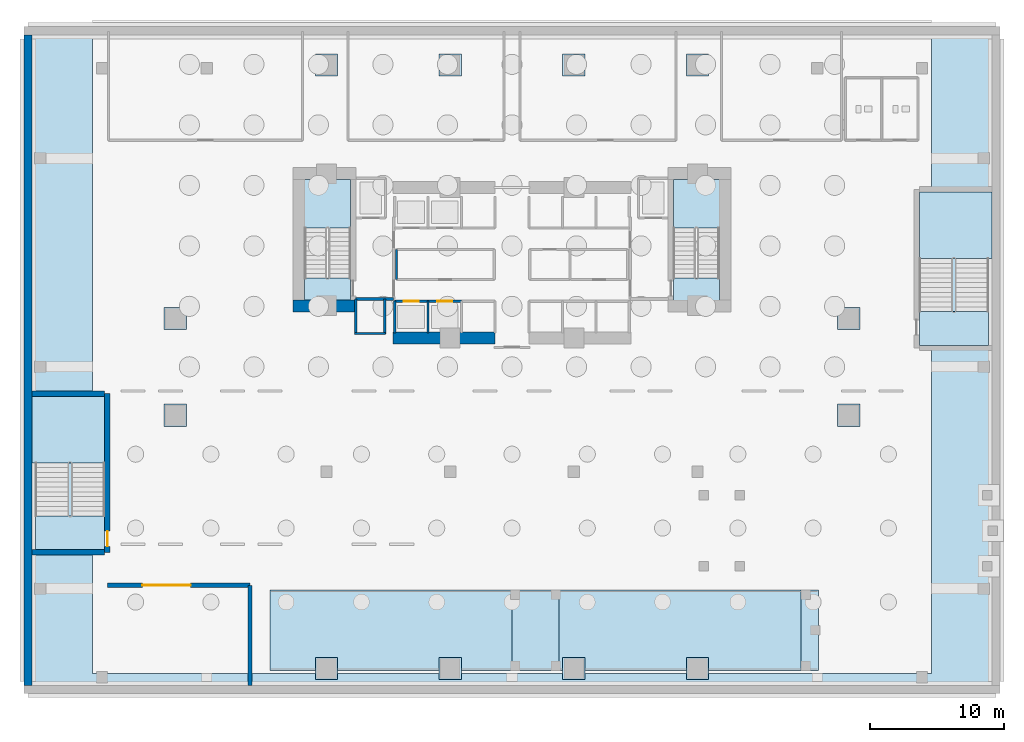
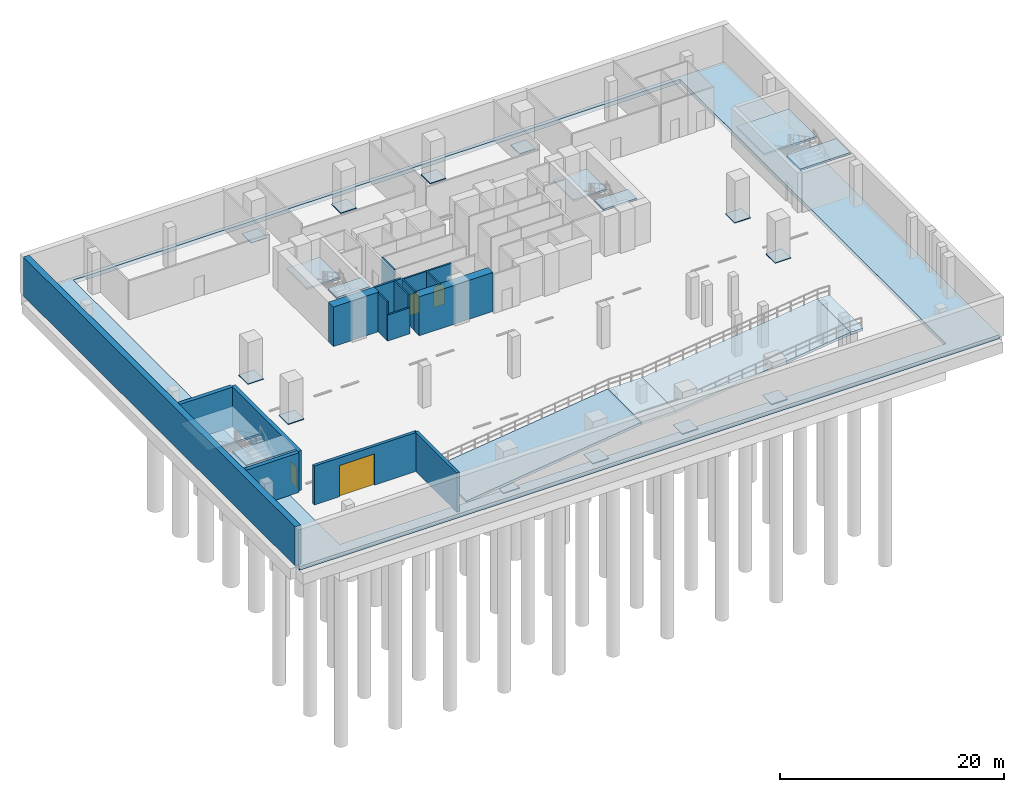
# One storey, part 2 of 13: 17 walls, 13 slabs, 12 plates, 4 doors, 4 openings, 4 elements without a shape of their own.
"""IFC4 building model written with IfcOpenShell, lengths in metres."""

from ifc_helpers import new_model, si_unit, direction, frame, frame_2d, origin, origin_2d, place, context, subcontext, project, spatial, polyline, rectangle, outline, extrude, material, layer, layer_set, type_object, element, fill, aggregate, save


model = new_model("IFC4")

# Units and contexts
model_context = context("Model", 3, precision=1e-05, world=origin(), true_north=direction((0.0, 1.0)))
body_context = subcontext(model_context, "Body", "Model", "MODEL_VIEW")
ifc_project = project(units=[si_unit("LENGTHUNIT", "METRE"), si_unit("AREAUNIT", "SQUARE_METRE"), si_unit("VOLUMEUNIT", "CUBIC_METRE"), si_unit("PLANEANGLEUNIT", "RADIAN"), si_unit("MASSUNIT", "GRAM", prefix="KILO")], contexts=[model_context])

# Site, building, storey
site_placement = place(None, origin())
site = spatial("IfcSite", under=ifc_project, at=site_placement, CompositionType="ELEMENT")
building_placement = place(site_placement, origin())
building = spatial("IfcBuilding", under=site, at=building_placement, Name="Zuhayl Quay Hotel", CompositionType="ELEMENT")
storey_placement = place(building_placement, frame((0.0, 0.0, -9.0)))
storey = spatial("IfcBuildingStorey", under=building, at=storey_placement, Name="B2", CompositionType="ELEMENT", Elevation=-9.0)

# Slabs
ifc_material_1 = material(Name="Concrete C45/55", Category="concrete")
ifc_layer_1 = layer(ifc_material_1, 0.419921875, Name="Concrete C45/55", Category="concrete")
ifc_layer_set_1 = layer_set([ifc_layer_1], Name="Concrete C45/55")
slab_type_1 = type_object("IfcSlabType", Name="SL_BASE_420", PredefinedType="BASESLAB", material=ifc_layer_set_1)
slab_1_placement = place(storey_placement, frame((0.0, 0.0, -0.419921875)))
element("IfcSlab", 1, at=slab_1_placement, inside=storey, type_object=slab_type_1, Name="B2 Perimeter Structural Base Slab", PredefinedType="BASESLAB", context=body_context, shape_type="SweptSolid", body=[
    extrude(outline(polyline([(-36.0, -24.0), (36.0, -24.0), (36.0, 25.0), (-36.0, 25.0), (-36.0, -24.0)]), holes=[polyline([(-31.199951171875, -22.800048828125), (31.199951171875, -22.800048828125), (31.199951171875, 24.60009765625), (-31.199951171875, 24.60009765625), (-31.199951171875, -22.800048828125)])]), origin(), (0.0, 0.0, 1.0), 0.419921875),
])
ifc_layer_2 = layer(ifc_material_1, 0.280029296875, Name="Concrete C45/55", Category="concrete")
ifc_layer_set_2 = layer_set([ifc_layer_2], Name="Concrete C45/55")
slab_type_2 = type_object("IfcSlabType", Name="SL_RAMP_LANDING_280", PredefinedType="LANDING", material=ifc_layer_set_2)
slab_2_placement = place(storey_placement, frame((0.0, 0.0, 1.969970703125)))
element("IfcSlab", 2, at=slab_2_placement, inside=storey, type_object=slab_type_2, Name="Car Park Vehicle Ramp VR1-B2 Mid Landing", PredefinedType="LANDING", context=body_context, shape_type="SweptSolid", body=[
    extrude(outline(polyline([(0.0, -22.60009765625), (3.5, -22.60009765625), (3.5, -16.60009765625), (0.0, -16.60009765625), (0.0, -22.60009765625)])), origin(), (0.0, 0.0, 1.0), 0.280029296875),
])
slab_3_placement = place(storey_placement, frame((0.0, 0.0, 4.219970703125)))
element("IfcSlab", 3, at=slab_3_placement, inside=storey, type_object=slab_type_2, Name="Car Park Vehicle Ramp VR1-B2 Arrival Landing", PredefinedType="LANDING", context=body_context, shape_type="SweptSolid", body=[
    extrude(outline(polyline([(21.5, -22.60009765625), (22.800048828125, -22.60009765625), (22.800048828125, -16.60009765625), (21.5, -16.60009765625), (21.5, -22.60009765625)])), origin(), (0.0, 0.0, 1.0), 0.280029296875),
])

# Stair, slabs
stair_type_1 = type_object("IfcStairType", Name="ST_DOGLEG_TOWER", PredefinedType="HALF_TURN_STAIR", material=ifc_material_1)
stair_1_placement = place(storey_placement, origin())
stair_1 = element("IfcStair", 4, at=stair_1_placement, inside=storey, type_object=stair_type_1, Name="B2 Smokeproof Exit Stair ST1", PredefinedType="HALF_TURN_STAIR")
ifc_layer_3 = layer(ifc_material_1, 0.199951171875, Name="Concrete C45/55", Category="concrete")
ifc_layer_set_3 = layer_set([ifc_layer_3], Name="Concrete C45/55")
slab_type_3 = type_object("IfcSlabType", Name="SL_STAIR_LANDING_200", PredefinedType="LANDING", material=ifc_layer_set_3)
slab_4_placement = place(storey_placement, frame((0.0, 0.0, 2.050048828125)))
slab_4 = element("IfcSlab", 5, at=slab_4_placement, type_object=slab_type_3, Name="ST1 landing 1", PredefinedType="LANDING", context=body_context, shape_type="SweptSolid", body=[
    extrude(outline(polyline([(-12.0, 10.330078125), (-12.0, 13.949951171875), (-15.429931640625, 13.949951171875), (-15.429931640625, 10.330078125), (-12.0, 10.330078125)])), origin(), (0.0, 0.0, 1.0), 0.199951171875),
])
slab_5_placement = place(storey_placement, frame((0.0, 0.0, 4.300048828125)))
slab_5 = element("IfcSlab", 6, at=slab_5_placement, type_object=slab_type_3, Name="ST1 landing 2", PredefinedType="LANDING", context=body_context, shape_type="SweptSolid", body=[
    extrude(outline(polyline([(-12.0, 4.949951171875), (-12.0, 6.590087890625), (-15.429931640625, 6.590087890625), (-15.429931640625, 4.949951171875), (-12.0, 4.949951171875)])), origin(), (0.0, 0.0, 1.0), 0.199951171875),
])
aggregate(stair_1, [slab_4, slab_5])

stair_2_placement = place(storey_placement, origin())
stair_2 = element("IfcStair", 7, at=stair_2_placement, inside=storey, type_object=stair_type_1, Name="B2 Smokeproof Exit Stair ST2", PredefinedType="HALF_TURN_STAIR")
slab_6_placement = place(storey_placement, frame((0.0, 0.0, 2.050048828125)))
slab_6 = element("IfcSlab", 8, at=slab_6_placement, type_object=slab_type_3, Name="ST2 landing 1", PredefinedType="LANDING", context=body_context, shape_type="SweptSolid", body=[
    extrude(outline(polyline([(15.429931640625, 10.330078125), (15.429931640625, 13.949951171875), (12.0, 13.949951171875), (12.0, 10.330078125), (15.429931640625, 10.330078125)])), origin(), (0.0, 0.0, 1.0), 0.199951171875),
])
slab_7_placement = place(storey_placement, frame((0.0, 0.0, 4.300048828125)))
slab_7 = element("IfcSlab", 9, at=slab_7_placement, type_object=slab_type_3, Name="ST2 landing 2", PredefinedType="LANDING", context=body_context, shape_type="SweptSolid", body=[
    extrude(outline(polyline([(15.429931640625, 4.949951171875), (15.429931640625, 6.590087890625), (12.0, 6.590087890625), (12.0, 4.949951171875), (15.429931640625, 4.949951171875)])), origin(), (0.0, 0.0, 1.0), 0.199951171875),
])
aggregate(stair_2, [slab_6, slab_7])

stair_type_2 = type_object("IfcStairType", Name="ST_DOGLEG_PODIUM", PredefinedType="HALF_TURN_STAIR", material=ifc_material_1)
stair_3_placement = place(storey_placement, origin())
stair_3 = element("IfcStair", 10, at=stair_3_placement, inside=storey, type_object=stair_type_2, Name="B2 Smokeproof Exit Stair ST3", PredefinedType="HALF_TURN_STAIR")
slab_8_placement = place(storey_placement, frame((0.0, 0.0, 2.050048828125)))
slab_8 = element("IfcSlab", 11, at=slab_8_placement, type_object=slab_type_3, Name="ST3 landing 1", PredefinedType="LANDING", context=body_context, shape_type="SweptSolid", body=[
    extrude(outline(polyline([(-30.300048828125, -7.139892578125), (-30.300048828125, -2.199951171875), (-35.68994140625, -2.199951171875), (-35.68994140625, -7.139892578125), (-30.300048828125, -7.139892578125)])), origin(), (0.0, 0.0, 1.0), 0.199951171875),
])
slab_9_placement = place(storey_placement, frame((0.0, 0.0, 4.300048828125)))
slab_9 = element("IfcSlab", 12, at=slab_9_placement, type_object=slab_type_3, Name="ST3 landing 2", PredefinedType="LANDING", context=body_context, shape_type="SweptSolid", body=[
    extrude(outline(polyline([(-30.300048828125, -13.60009765625), (-30.300048828125, -11.10009765625), (-35.449951171875, -11.10009765625), (-35.449951171875, -13.60009765625), (-30.300048828125, -13.60009765625)])), origin(), (0.0, 0.0, 1.0), 0.199951171875),
])
aggregate(stair_3, [slab_8, slab_9])

stair_4_placement = place(storey_placement, origin())
stair_4 = element("IfcStair", 13, at=stair_4_placement, inside=storey, type_object=stair_type_2, Name="B2 Smokeproof Exit Stair ST4", PredefinedType="HALF_TURN_STAIR")
slab_10_placement = place(storey_placement, frame((0.0, 0.0, 2.050048828125)))
slab_10 = element("IfcSlab", 14, at=slab_10_placement, type_object=slab_type_3, Name="ST4 landing 1", PredefinedType="LANDING", context=body_context, shape_type="SweptSolid", body=[
    extrude(outline(polyline([(35.68994140625, 8.06005859375), (35.68994140625, 13.0), (30.300048828125, 13.0), (30.300048828125, 8.06005859375), (35.68994140625, 8.06005859375)])), origin(), (0.0, 0.0, 1.0), 0.199951171875),
])
slab_11_placement = place(storey_placement, frame((0.0, 0.0, 4.300048828125)))
slab_11 = element("IfcSlab", 15, at=slab_11_placement, type_object=slab_type_3, Name="ST4 landing 2", PredefinedType="LANDING", context=body_context, shape_type="SweptSolid", body=[
    extrude(outline(polyline([(35.449951171875, 1.60009765625), (35.449951171875, 4.10009765625), (30.300048828125, 4.10009765625), (30.300048828125, 1.60009765625), (35.449951171875, 1.60009765625)])), origin(), (0.0, 0.0, 1.0), 0.199951171875),
])
aggregate(stair_4, [slab_10, slab_11])

# Slabs
ifc_layer_4 = layer(ifc_material_1, 0.280029296875, Name="Concrete C45/55", Category="concrete")
ifc_layer_set_4 = layer_set([ifc_layer_4], Name="Concrete C45/55")
slab_type_4 = type_object("IfcSlabType", Name="SL_VEH_RAMP_280", PredefinedType="FLOOR", material=ifc_layer_set_4)
for number, where, z_axis, x_axis, name in (
    (16, (-18.0, -19.60009765625, 0.0), (0.0, 0.0, 1.0), (1.0, 0.0, 0.0), "Car Park Vehicle Ramp Slab VR1-B2 Lower"),
    (17, (3.5, -19.60009765625, 2.25), (0.0, 0.0, 1.0), (1.0, 0.0, 0.0), "Car Park Vehicle Ramp Slab VR1-B2 Upper"),
):
    element("IfcSlab", number, at=place(storey_placement, frame(where, z_axis=z_axis, x_axis=x_axis)), inside=storey, type_object=slab_type_4, Name=name, PredefinedType="FLOOR", context=body_context, shape_type="SweptSolid", body=[
        extrude(outline(polyline([(0.0, -0.280029296875), (18.0, 1.969970703125), (18.0, 2.25), (0.0, 0.0), (0.0, -0.280029296875)])), frame((0.0, 3.0, 0.0), z_axis=(0.0, -1.0, 0.0), x_axis=(1.0, 0.0, 0.0)), (0.0, 0.0, 1.0), 6.0),
    ])

# Plates
ifc_material_2 = material(Name="Steel ASTM A572 Grade 50", Category="steel")
ifc_layer_5 = layer(ifc_material_2, 0.06494140625, Name="Steel ASTM A572 Grade 50", Category="steel")
ifc_layer_set_5 = layer_set([ifc_layer_5], Name="Steel ASTM A572 Grade 50")
plate_type = type_object("IfcPlateType", Name="TP_BASE_PLATE_65", PredefinedType="USERDEFINED", material=ifc_layer_set_5)
for number, where, z_axis, x_axis, name in (
    (18, (-13.800048828125, -22.449951171875, 0.0), (0.0, 0.0, 1.0), (1.0, 0.0, 0.0), "Mega-Column Base Plate MC_S1"),
    (19, (-4.60009765625, -22.449951171875, 0.0), (0.0, 0.0, 1.0), (1.0, 0.0, 0.0), "Mega-Column Base Plate MC_S2"),
    (20, (4.60009765625, -22.449951171875, 0.0), (0.0, 0.0, 1.0), (1.0, 0.0, 0.0), "Mega-Column Base Plate MC_S3"),
    (21, (13.800048828125, -22.449951171875, 0.0), (0.0, 0.0, 1.0), (1.0, 0.0, 0.0), "Mega-Column Base Plate MC_S4"),
    (22, (-13.800048828125, 22.449951171875, 0.0), (0.0, 0.0, 1.0), (1.0, 0.0, 0.0), "Mega-Column Base Plate MC_N1"),
    (23, (-4.60009765625, 22.449951171875, 0.0), (0.0, 0.0, 1.0), (1.0, 0.0, 0.0), "Mega-Column Base Plate MC_N2"),
    (24, (4.60009765625, 22.449951171875, 0.0), (0.0, 0.0, 1.0), (1.0, 0.0, 0.0), "Mega-Column Base Plate MC_N3"),
    (25, (13.800048828125, 22.449951171875, 0.0), (0.0, 0.0, 1.0), (1.0, 0.0, 0.0), "Mega-Column Base Plate MC_N4"),
    (26, (-25.050048828125, -3.60009765625, 0.0), (0.0, 0.0, 1.0), (1.0, 0.0, 0.0), "Mega-Column Base Plate MC_W1"),
    (27, (-25.050048828125, 3.60009765625, 0.0), (0.0, 0.0, 1.0), (1.0, 0.0, 0.0), "Mega-Column Base Plate MC_W2"),
    (28, (25.050048828125, -3.60009765625, 0.0), (0.0, 0.0, 1.0), (1.0, 0.0, 0.0), "Mega-Column Base Plate MC_E1"),
    (29, (25.050048828125, 3.60009765625, 0.0), (0.0, 0.0, 1.0), (1.0, 0.0, 0.0), "Mega-Column Base Plate MC_E2"),
):
    element("IfcPlate", number, at=place(storey_placement, frame(where, z_axis=z_axis, x_axis=x_axis)), inside=storey, type_object=plate_type, Name=name, ObjectType="BASE PLATE", PredefinedType="USERDEFINED", context=body_context, shape_type="SweptSolid", body=[
        extrude(rectangle(XDim=1.64990234375, YDim=1.64990234375, at=origin_2d()), origin(), (0.0, 0.0, 1.0), 0.06494140625),
    ])

# Walls
ifc_material_3 = material(Name="Concrete C70/85", Category="concrete")
ifc_layer_6 = layer(ifc_material_3, 0.89990234375, Name="Concrete C70/85", Category="concrete")
ifc_layer_set_6 = layer_set([ifc_layer_6], Name="Concrete C70/85")
wall_type_1 = type_object("IfcWallType", Name="WL_CORE_900", PredefinedType="SHEAR", material=ifc_layer_set_6)
wall_1_placement = place(storey_placement, frame((-16.31005859375, 4.52001953125, 0.0), z_axis=(0.0, 0.0, 1.0), x_axis=(1.0, 0.0, 0.0)))
element("IfcWall", 30, at=wall_1_placement, inside=storey, type_object=wall_type_1, Name="B2 Core Shear Wall CW_SW", PredefinedType="SHEAR", context=body_context, shape_type="SweptSolid", body=[
    extrude(rectangle(XDim=4.7099609375, YDim=0.89990234375, at=frame_2d((2.35498046875, 0.0))), origin(), (0.0, 0.0, 1.0), 4.31005859375),
])
wall_2_placement = place(storey_placement, frame((-8.85009765625, 2.14990234375, 0.0), z_axis=(0.0, 0.0, 1.0), x_axis=(1.0, 0.0, 0.0)))
element("IfcWall", 31, at=wall_2_placement, inside=storey, type_object=wall_type_1, Name="B2 Core Shear Wall CW_SC_W", PredefinedType="SHEAR", context=body_context, shape_type="SweptSolid", body=[
    extrude(rectangle(XDim=7.60009765625, YDim=0.89990234375, at=frame_2d((3.800048828125, 0.0))), origin(), (0.0, 0.0, 1.0), 4.239990234375),
])

# Wall, opening, door
ifc_material_4 = material(Name="Precast concrete C45/55", Category="concrete")
ifc_layer_7 = layer(ifc_material_4, 0.300048828125, Name="Precast concrete C45/55", Category="concrete")
ifc_layer_set_7 = layer_set([ifc_layer_7], Name="Precast concrete C45/55")
wall_type_2 = type_object("IfcWallType", Name="WL_EXT_300", PredefinedType="STANDARD", material=ifc_layer_set_7)
wall_3_placement = place(storey_placement, frame((-30.10009765625, -16.25, 0.0), z_axis=(0.0, 0.0, 1.0), x_axis=(1.0, 0.0, 0.0)))
wall_3 = element("IfcWall", 32, at=wall_3_placement, inside=storey, type_object=wall_type_2, Name="B2 Car-Park Security Shutter Wall", PredefinedType="STANDARD", context=body_context, shape_type="SweptSolid", body=[
    extrude(rectangle(XDim=10.60009765625, YDim=0.300048828125, at=frame_2d((5.300048828125, 0.0))), origin(), (0.0, 0.0, 1.0), 4.239990234375),
])
opening_1_placement = place(wall_3_placement, frame((2.60009765625, 0.0, 0.0)))
opening_1 = element("IfcOpeningElement", 33, at=opening_1_placement, cuts=wall_3, Name="Opening VG02", PredefinedType="OPENING", context=body_context, shape_type="SweptSolid", body=[
    extrude(rectangle(XDim=3.60009765625, YDim=3.39990234375, at=frame_2d((1.800048828125, 1.699951171875))), frame((0.0, 0.159912109375, 0.0), z_axis=(0.0, -1.0, 0.0), x_axis=(1.0, 0.0, 0.0)), (0.0, 0.0, 1.0), 0.320068359375),
])
ifc_material_5 = material(Name="Steel ASTM A992 Grade 50", Category="steel")
door_type_1 = type_object("IfcDoorType", Name="DR_SRV_GATE_VG02", OperationType="ROLLINGUP", PredefinedType="GATE", material=ifc_material_5)
door_1_placement = place(opening_1_placement, origin())
door_1 = element("IfcDoor", 34, at=door_1_placement, inside=storey, type_object=door_type_1, Name="B2 Service Bay Roller Shutter Gate VG02", OperationType="ROLLINGUP", OverallHeight=3.39990234375, OverallWidth=3.60009765625, PredefinedType="GATE", context=body_context, shape_type="SweptSolid", body=[
    extrude(rectangle(XDim=3.60009765625, YDim=3.39990234375, at=frame_2d((1.800048828125, 1.699951171875))), frame((0.0, 0.02490234375, 0.0), z_axis=(0.0, -1.0, 0.0), x_axis=(1.0, 0.0, 0.0)), (0.0, 0.0, 1.0), 0.050048828125),
])
fill(opening_1, door_1)

# Walls
wall_4_placement = place(storey_placement, frame((-19.5, -23.699951171875, 0.0), z_axis=(0.0, 0.0, 1.0), x_axis=(0.0, 1.0, 0.0)))
element("IfcWall", 35, at=wall_4_placement, inside=storey, type_object=wall_type_2, Name="B2 Service Bay East Enclosure Wall", PredefinedType="STANDARD", context=body_context, shape_type="SweptSolid", body=[
    extrude(rectangle(XDim=7.449951171875, YDim=0.300048828125, at=frame_2d((3.72509765625, 0.0))), origin(), (0.0, 0.0, 1.0), 4.239990234375),
])
ifc_material_6 = material(Name="Acoustic Gypsum Partition STC-58")
ifc_layer_8 = layer(ifc_material_6, 0.14990234375, Name="Acoustic Gypsum Partition STC-58")
ifc_layer_set_8 = layer_set([ifc_layer_8], Name="Acoustic Gypsum Partition STC-58")
wall_type_3 = type_object("IfcWallType", Name="WL_PART_150", PredefinedType="PARTITIONING", material=ifc_layer_set_8)
wall_5_placement = place(storey_placement, frame((-8.610107421875, 6.47998046875, 0.0), z_axis=(0.0, 0.0, 1.0), x_axis=(0.0, 1.0, 0.0)))
element("IfcWall", 36, at=wall_5_placement, inside=storey, type_object=wall_type_3, Name="B2 Partition IW_B2_CORE_EL_W", PredefinedType="PARTITIONING", context=body_context, shape_type="SweptSolid", body=[
    extrude(rectangle(XDim=2.239990234375, YDim=0.14990234375, at=frame_2d((1.1201171875, 0.0))), origin(), (0.0, 0.0, 1.0), 4.239990234375),
])

# Wall, opening, door
ifc_material_7 = material(Name="Gypsum Fireboard Assembly EI-90")
ifc_layer_9 = layer(ifc_material_7, 0.1650390625, Name="Gypsum Fireboard Assembly EI-90")
ifc_layer_set_9 = layer_set([ifc_layer_9], Name="Gypsum Fireboard Assembly EI-90")
wall_type_4 = type_object("IfcWallType", Name="WL_PART_SHAFT_160", PredefinedType="PARTITIONING", material=ifc_layer_set_9)
wall_6_placement = place(storey_placement, frame((-8.72998046875, 4.8798828125, 0.0), z_axis=(0.0, 0.0, 1.0), x_axis=(1.0, 0.0, 0.0)))
wall_6 = element("IfcWall", 37, at=wall_6_placement, inside=storey, type_object=wall_type_4, Name="B2 Partition IW_B2_SH_LP1_F", PredefinedType="PARTITIONING", context=body_context, shape_type="SweptSolid", body=[
    extrude(rectangle(XDim=2.47998046875, YDim=0.1650390625, at=frame_2d((1.239990234375, 0.0))), origin(), (0.0, 0.0, 1.0), 4.239990234375),
])
opening_2_placement = place(wall_6_placement, frame((0.68994140625, 0.0, 0.0)))
opening_2 = element("IfcOpeningElement", 38, at=opening_2_placement, cuts=wall_6, Name="Opening LD1", PredefinedType="OPENING", context=body_context, shape_type="SweptSolid", body=[
    extrude(rectangle(XDim=1.10009765625, YDim=2.25, at=frame_2d((0.550048828125, 1.125))), frame((0.0, 0.092529296875, 0.0), z_axis=(0.0, -1.0, 0.0), x_axis=(1.0, 0.0, 0.0)), (0.0, 0.0, 1.0), 0.18505859375),
])
ifc_material_8 = material(Name="Brushed Stainless Steel", Category="steel")
door_type_2 = type_object("IfcDoorType", Name="DR_LIFT_PASS_1100", OperationType="SLIDING_TO_LEFT", PredefinedType="DOOR", material=ifc_material_8)
door_2_placement = place(opening_2_placement, origin())
door_2 = element("IfcDoor", 39, at=door_2_placement, inside=storey, type_object=door_type_2, Name="B2 Lift LP1 Sliding Landing Door", OperationType="SLIDING_TO_LEFT", OverallHeight=2.25, OverallWidth=1.10009765625, PredefinedType="DOOR", context=body_context, shape_type="SweptSolid", body=[
    extrude(rectangle(XDim=1.10009765625, YDim=2.25, at=frame_2d((0.550048828125, 1.125))), frame((0.0, 0.02490234375, 0.0), z_axis=(0.0, -1.0, 0.0), x_axis=(1.0, 0.0, 0.0)), (0.0, 0.0, 1.0), 0.050048828125),
])
fill(opening_2, door_2)

wall_7_placement = place(storey_placement, frame((-6.25, 4.8798828125, 0.0), z_axis=(0.0, 0.0, 1.0), x_axis=(1.0, 0.0, 0.0)))
wall_7 = element("IfcWall", 40, at=wall_7_placement, inside=storey, type_object=wall_type_4, Name="B2 Partition IW_B2_SH_LP2_F", PredefinedType="PARTITIONING", context=body_context, shape_type="SweptSolid", body=[
    extrude(rectangle(XDim=2.5, YDim=0.1650390625, at=frame_2d((1.25, 0.0))), origin(), (0.0, 0.0, 1.0), 4.239990234375),
])
opening_3_placement = place(wall_7_placement, frame((0.699951171875, 0.0, 0.0)))
opening_3 = element("IfcOpeningElement", 41, at=opening_3_placement, cuts=wall_7, Name="Opening LD1", PredefinedType="OPENING", context=body_context, shape_type="SweptSolid", body=[
    extrude(rectangle(XDim=1.10009765625, YDim=2.25, at=frame_2d((0.550048828125, 1.125))), frame((0.0, 0.092529296875, 0.0), z_axis=(0.0, -1.0, 0.0), x_axis=(1.0, 0.0, 0.0)), (0.0, 0.0, 1.0), 0.18505859375),
])
door_3_placement = place(opening_3_placement, origin())
door_3 = element("IfcDoor", 42, at=door_3_placement, inside=storey, type_object=door_type_2, Name="B2 Lift LP2 Sliding Landing Door", OperationType="SLIDING_TO_LEFT", OverallHeight=2.25, OverallWidth=1.10009765625, PredefinedType="DOOR", context=body_context, shape_type="SweptSolid", body=[
    extrude(rectangle(XDim=1.10009765625, YDim=2.25, at=frame_2d((0.550048828125, 1.125))), frame((0.0, 0.02490234375, 0.0), z_axis=(0.0, -1.0, 0.0), x_axis=(1.0, 0.0, 0.0)), (0.0, 0.0, 1.0), 0.050048828125),
])
fill(opening_3, door_3)

# Walls
for number, where, z_axis, x_axis, name in (
    (43, (-8.72998046875, 2.52001953125, 0.0), (0.0, 0.0, 1.0), (0.0, 1.0, 0.0), "B2 Partition IW_B2_SH_LP1_W"),
    (44, (-6.25, 2.52001953125, 0.0), (0.0, 0.0, 1.0), (0.0, 1.0, 0.0), "B2 Partition IW_B2_SH_LP1_E"),
):
    element("IfcWall", number, at=place(storey_placement, frame(where, z_axis=z_axis, x_axis=x_axis)), inside=storey, type_object=wall_type_4, Name=name, PredefinedType="PARTITIONING", context=body_context, shape_type="SweptSolid", body=[
        extrude(rectangle(XDim=2.35986328125, YDim=0.1650390625, at=frame_2d((1.179931640625, 0.0))), origin(), (0.0, 0.0, 1.0), 4.239990234375),
    ])
wall_8_placement = place(storey_placement, frame((-11.6298828125, 2.469970703125, 0.0), z_axis=(0.0, 0.0, 1.0), x_axis=(0.0, 1.0, 0.0)))
element("IfcWall", 45, at=wall_8_placement, inside=storey, type_object=wall_type_4, Name="B2 Partition IW_B2_RISER_W", PredefinedType="PARTITIONING", context=body_context, shape_type="SweptSolid", body=[
    extrude(rectangle(XDim=2.580078125, YDim=0.1650390625, at=frame_2d((1.2900390625, 0.0))), origin(), (0.0, 0.0, 1.0), 4.239990234375),
])
wall_9_placement = place(storey_placement, frame((-11.7099609375, 2.469970703125, 0.0), z_axis=(0.0, 0.0, 1.0), x_axis=(1.0, 0.0, 0.0)))
element("IfcWall", 46, at=wall_9_placement, inside=storey, type_object=wall_type_4, Name="B2 Partition IW_B2_RISER_S", PredefinedType="PARTITIONING", context=body_context, shape_type="SweptSolid", body=[
    extrude(rectangle(XDim=2.31005859375, YDim=0.1650390625, at=frame_2d((1.155029296875, 0.0))), origin(), (0.0, 0.0, 1.0), 2.840087890625),
])
ifc_layer_10 = layer(ifc_material_7, 0.179931640625, Name="Gypsum Fireboard Assembly EI-90")
ifc_layer_set_10 = layer_set([ifc_layer_10], Name="Gypsum Fireboard Assembly EI-90")
wall_type_5 = type_object("IfcWallType", Name="WL_PART_SHAFT_180", PredefinedType="PARTITIONING", material=ifc_layer_set_10)
wall_10_placement = place(storey_placement, frame((-9.469970703125, 2.449951171875, 0.0), z_axis=(0.0, 0.0, 1.0), x_axis=(0.0, 1.0, 0.0)))
element("IfcWall", 47, at=wall_10_placement, inside=storey, type_object=wall_type_5, Name="B2 Partition IW_B2_RISER_E", PredefinedType="PARTITIONING", context=body_context, shape_type="SweptSolid", body=[
    extrude(rectangle(XDim=2.60009765625, YDim=0.179931640625, at=frame_2d((1.300048828125, 0.0))), origin(), (0.0, 0.0, 1.0), 4.239990234375),
])
ifc_material_9 = material(Name="Gypsum Fireboard Assembly EI-120")
ifc_layer_11 = layer(ifc_material_9, 0.199951171875, Name="Gypsum Fireboard Assembly EI-120")
ifc_layer_set_11 = layer_set([ifc_layer_11], Name="Gypsum Fireboard Assembly EI-120")
wall_type_6 = type_object("IfcWallType", Name="WL_PART_SHAFT_200", PredefinedType="PARTITIONING", material=ifc_layer_set_11)
wall_11_placement = place(storey_placement, frame((-11.64990234375, 5.050048828125, 0.0), z_axis=(0.0, 0.0, 1.0), x_axis=(1.0, 0.0, 0.0)))
element("IfcWall", 48, at=wall_11_placement, inside=storey, type_object=wall_type_6, Name="B2 Partition IW_B2_FSAE_W_S", PredefinedType="PARTITIONING", context=body_context, shape_type="SweptSolid", body=[
    extrude(rectangle(XDim=2.849853515625, YDim=0.199951171875, at=frame_2d((1.4248046875, 0.0))), origin(), (0.0, 0.0, 1.0), 4.239990234375),
])
ifc_material_10 = material(Name="Concrete C50/60", Category="concrete")
ifc_layer_12 = layer(ifc_material_10, 0.60009765625, Name="Concrete C50/60", Category="concrete")
ifc_layer_set_12 = layer_set([ifc_layer_12], Name="Concrete C50/60")
wall_type_7 = type_object("IfcWallType", Name="WL_RET_600", PredefinedType="USERDEFINED", material=ifc_layer_set_12)
wall_12_placement = place(storey_placement, frame((-36.0, -23.699951171875, 0.0), z_axis=(0.0, 0.0, 1.0), x_axis=(0.0, 1.0, 0.0)))
element("IfcWall", 49, at=wall_12_placement, inside=storey, type_object=wall_type_7, Name="B2 Basement Retaining Wall W", ObjectType="RETAINING WALL", PredefinedType="USERDEFINED", context=body_context, shape_type="SweptSolid", body=[
    extrude(rectangle(XDim=48.39990234375, YDim=0.60009765625, at=frame_2d((24.199951171875, 0.0))), origin(), (0.0, 0.0, 1.0), 4.239990234375),
])

# Wall, opening, door
ifc_material_11 = material(Name="Concrete C60/75", Category="concrete")
ifc_layer_13 = layer(ifc_material_11, 0.39990234375, Name="Concrete C60/75", Category="concrete")
ifc_layer_set_13 = layer_set([ifc_layer_13], Name="Concrete C60/75")
wall_type_8 = type_object("IfcWallType", Name="WL_STAIR_400", PredefinedType="SHEAR", material=ifc_layer_set_13)
wall_13_placement = place(storey_placement, frame((-30.10009765625, -13.800048828125, 0.0), z_axis=(0.0, 0.0, 1.0), x_axis=(0.0, 1.0, 0.0)))
wall_13 = element("IfcWall", 50, at=wall_13_placement, inside=storey, type_object=wall_type_8, Name="B2 Podium Stair Shear Wall SW_ST3_E", PredefinedType="SHEAR", context=body_context, shape_type="SweptSolid", body=[
    extrude(rectangle(XDim=11.800048828125, YDim=0.39990234375, at=frame_2d((5.89990234375, 0.0))), origin(), (0.0, 0.0, 1.0), 4.31005859375),
])
opening_4_placement = place(wall_13_placement, frame((0.449951171875, 0.0, 0.0)))
opening_4 = element("IfcOpeningElement", 51, at=opening_4_placement, cuts=wall_13, Name="Opening D01", PredefinedType="OPENING", context=body_context, shape_type="SweptSolid", body=[
    extrude(rectangle(XDim=1.1201171875, YDim=2.219970703125, at=frame_2d((0.56005859375, 1.10986328125))), frame((0.0, 0.2099609375, 0.0), z_axis=(0.0, -1.0, 0.0), x_axis=(1.0, 0.0, 0.0)), (0.0, 0.0, 1.0), 0.419921875),
])
door_type_3 = type_object("IfcDoorType", Name="DR_STAIR_90_1100", OperationType="NOTDEFINED", PredefinedType="DOOR", material=ifc_material_5)
door_4_placement = place(opening_4_placement, origin())
door_4 = element("IfcDoor", 52, at=door_4_placement, inside=storey, type_object=door_type_3, Name="B2 Podium Exit Stair ST3 Door", OperationType="SINGLE_SWING_RIGHT", OverallHeight=2.219970703125, OverallWidth=1.1201171875, PredefinedType="DOOR", context=body_context, shape_type="SweptSolid", body=[
    extrude(rectangle(XDim=1.1201171875, YDim=2.219970703125, at=frame_2d((0.56005859375, 1.10986328125))), frame((0.0, 0.02490234375, 0.0), z_axis=(0.0, -1.0, 0.0), x_axis=(1.0, 0.0, 0.0)), (0.0, 0.0, 1.0), 0.050048828125),
])
fill(opening_4, door_4)

# Walls
for number, where, z_axis, x_axis, name in (
    (53, (-35.699951171875, -13.800048828125, 0.0), (0.0, 0.0, 1.0), (1.0, 0.0, 0.0), "B2 Podium Stair Shear Wall SW_ST3_S"),
    (54, (-35.699951171875, -2.0, 0.0), (0.0, 0.0, 1.0), (1.0, 0.0, 0.0), "B2 Podium Stair Shear Wall SW_ST3_N"),
):
    element("IfcWall", number, at=place(storey_placement, frame(where, z_axis=z_axis, x_axis=x_axis)), inside=storey, type_object=wall_type_8, Name=name, PredefinedType="SHEAR", context=body_context, shape_type="SweptSolid", body=[
        extrude(rectangle(XDim=5.39990234375, YDim=0.39990234375, at=frame_2d((2.699951171875, 0.0))), origin(), (0.0, 0.0, 1.0), 4.31005859375),
    ])

save(model, "model.ifc")
